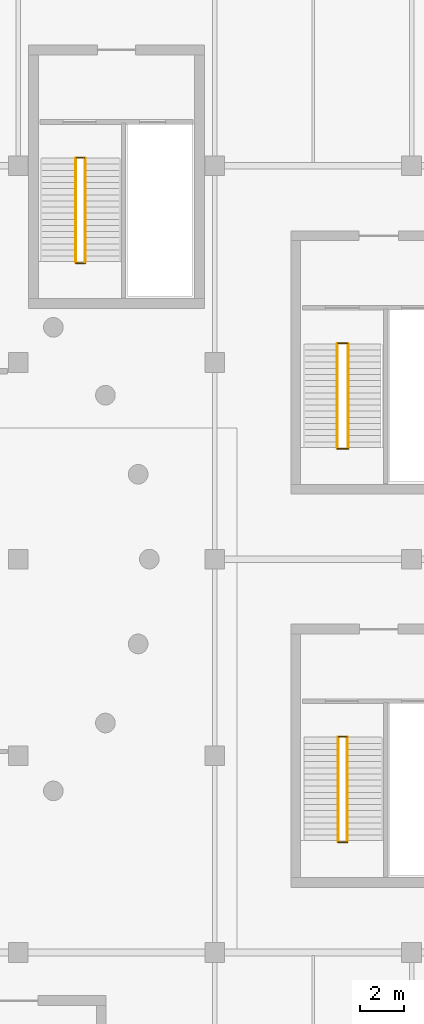
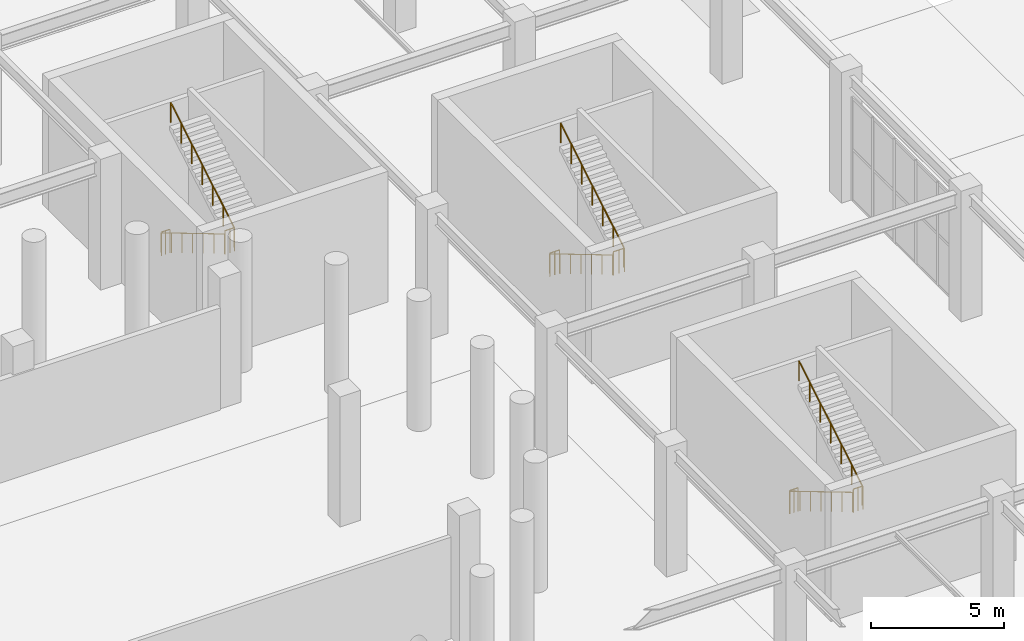
# One storey, part 87 of 91: 12 railings.
"""IFC4 building model written with IfcOpenShell, lengths in metres."""

from ifc_helpers import new_model, si_unit, direction, frame, origin, origin_2d, place, context, subcontext, project, spatial, circle, extrude, material, type_object, element, save


model = new_model("IFC4")

# Units and contexts
model_context = context("Model", 3, precision=1e-05, world=origin(), true_north=direction((0.0, 1.0)))
body_context = subcontext(model_context, "Body", "Model", "MODEL_VIEW")
ifc_project = project(units=[si_unit("LENGTHUNIT", "METRE"), si_unit("AREAUNIT", "SQUARE_METRE"), si_unit("VOLUMEUNIT", "CUBIC_METRE"), si_unit("PLANEANGLEUNIT", "RADIAN"), si_unit("MASSUNIT", "GRAM", prefix="KILO")], contexts=[model_context])

# Site, building, storey
site_placement = place(None, origin())
site = spatial("IfcSite", under=ifc_project, at=site_placement, CompositionType="ELEMENT")
building_placement = place(site_placement, origin())
building = spatial("IfcBuilding", under=site, at=building_placement, Name="Dornveld Trade and Exhibition Forum", CompositionType="ELEMENT")
storey_placement = place(building_placement, origin())
storey = spatial("IfcBuildingStorey", under=building, at=storey_placement, Name="L00", CompositionType="ELEMENT", Elevation=0.0)

# Railings
ifc_material_1 = material(Name="Brushed stainless steel handrail", Category="steel")
railing_type_1 = type_object("IfcRailingType", Name="RL-HAND-920", PredefinedType="HANDRAIL", material=ifc_material_1)
railing_1_placement = place(storey_placement, frame((140.60498046875, 90.85009765625, 0.166748046875)))
element("IfcRailing", 1, at=railing_1_placement, inside=storey, type_object=railing_type_1, Name="ST-01-L00 flight 1 handrail", PredefinedType="HANDRAIL", context=body_context, shape_type="SweptSolid", body=[
    extrude(circle(Radius=0.02099609375, at=origin_2d()), frame((0.0, 0.0, 0.89892578125), z_axis=(0.0, -0.859299802514, 0.511472237174), x_axis=(1.0, 0.0, 0.0)), (0.0, 0.0, 1.0), 5.539306640625),
    extrude(circle(Radius=0.01806640625, at=origin_2d()), origin(), (0.0, 0.0, 1.0), 0.8779296875),
    extrude(circle(Radius=0.01806640625, at=origin_2d()), frame((0.0, -0.79345703125, 0.47216796875)), (0.0, 0.0, 1.0), 0.8779296875),
    extrude(circle(Radius=0.01806640625, at=origin_2d()), frame((0.0, -1.586669921875, 0.9443359375)), (0.0, 0.0, 1.0), 0.8779296875),
    extrude(circle(Radius=0.01806640625, at=origin_2d()), frame((0.0, -2.3798828125, 1.41650390625)), (0.0, 0.0, 1.0), 0.8779296875),
    extrude(circle(Radius=0.01806640625, at=origin_2d()), frame((0.0, -3.17333984375, 1.888916015625)), (0.0, 0.0, 1.0), 0.8779296875),
    extrude(circle(Radius=0.01806640625, at=origin_2d()), frame((0.0, -3.966796875, 2.361083984375)), (0.0, 0.0, 1.0), 0.8779296875),
    extrude(circle(Radius=0.01806640625, at=origin_2d()), frame((0.0, -4.760009765625, 2.833251953125)), (0.0, 0.0, 1.0), 0.8779296875),
])
railing_2_placement = place(storey_placement, frame((141.094970703125, 86.090087890625, 3.166748046875)))
element("IfcRailing", 2, at=railing_2_placement, inside=storey, type_object=railing_type_1, Name="ST-01-L00 flight 2 handrail", PredefinedType="HANDRAIL", context=body_context, shape_type="SweptSolid", body=[
    extrude(circle(Radius=0.02099609375, at=origin_2d()), frame((0.0, 0.0, 0.89892578125), z_axis=(0.0, 0.859299802514, 0.511472237174), x_axis=(-1.0, 0.0, 0.0)), (0.0, 0.0, 1.0), 5.539306640625),
    extrude(circle(Radius=0.01806640625, at=origin_2d()), origin(), (0.0, 0.0, 1.0), 0.8779296875),
    extrude(circle(Radius=0.01806640625, at=origin_2d()), frame((0.0, 0.79345703125, 0.47216796875)), (0.0, 0.0, 1.0), 0.8779296875),
    extrude(circle(Radius=0.01806640625, at=origin_2d()), frame((0.0, 1.586669921875, 0.9443359375)), (0.0, 0.0, 1.0), 0.8779296875),
    extrude(circle(Radius=0.01806640625, at=origin_2d()), frame((0.0, 2.3798828125, 1.41650390625)), (0.0, 0.0, 1.0), 0.8779296875),
    extrude(circle(Radius=0.01806640625, at=origin_2d()), frame((0.0, 3.17333984375, 1.888916015625)), (0.0, 0.0, 1.0), 0.8779296875),
    extrude(circle(Radius=0.01806640625, at=origin_2d()), frame((0.0, 3.966796875, 2.361083984375)), (0.0, 0.0, 1.0), 0.8779296875),
    extrude(circle(Radius=0.01806640625, at=origin_2d()), frame((0.0, 4.760009765625, 2.833251953125)), (0.0, 0.0, 1.0), 0.8779296875),
])
railing_3_placement = place(storey_placement, frame((128.639892578125, 99.35009765625, 0.166748046875)))
element("IfcRailing", 3, at=railing_3_placement, inside=storey, type_object=railing_type_1, Name="ST-02-L00 flight 1 handrail", PredefinedType="HANDRAIL", context=body_context, shape_type="SweptSolid", body=[
    extrude(circle(Radius=0.02099609375, at=origin_2d()), frame((0.0, 0.0, 0.89892578125), z_axis=(0.0, -0.859299802514, 0.511472237174), x_axis=(1.0, 0.0, 0.0)), (0.0, 0.0, 1.0), 5.539306640625),
    extrude(circle(Radius=0.01806640625, at=origin_2d()), origin(), (0.0, 0.0, 1.0), 0.8779296875),
    extrude(circle(Radius=0.01806640625, at=origin_2d()), frame((0.0, -0.79345703125, 0.47216796875)), (0.0, 0.0, 1.0), 0.8779296875),
    extrude(circle(Radius=0.01806640625, at=origin_2d()), frame((0.0, -1.586669921875, 0.9443359375)), (0.0, 0.0, 1.0), 0.8779296875),
    extrude(circle(Radius=0.01806640625, at=origin_2d()), frame((0.0, -2.3798828125, 1.41650390625)), (0.0, 0.0, 1.0), 0.8779296875),
    extrude(circle(Radius=0.01806640625, at=origin_2d()), frame((0.0, -3.17333984375, 1.888916015625)), (0.0, 0.0, 1.0), 0.8779296875),
    extrude(circle(Radius=0.01806640625, at=origin_2d()), frame((0.0, -3.966796875, 2.361083984375)), (0.0, 0.0, 1.0), 0.8779296875),
    extrude(circle(Radius=0.01806640625, at=origin_2d()), frame((0.0, -4.760009765625, 2.833251953125)), (0.0, 0.0, 1.0), 0.8779296875),
])
railing_4_placement = place(storey_placement, frame((129.06005859375, 94.590087890625, 3.166748046875)))
element("IfcRailing", 4, at=railing_4_placement, inside=storey, type_object=railing_type_1, Name="ST-02-L00 flight 2 handrail", PredefinedType="HANDRAIL", context=body_context, shape_type="SweptSolid", body=[
    extrude(circle(Radius=0.02099609375, at=origin_2d()), frame((0.0, 0.0, 0.89892578125), z_axis=(0.0, 0.859299802514, 0.511472237174), x_axis=(-1.0, 0.0, 0.0)), (0.0, 0.0, 1.0), 5.539306640625),
    extrude(circle(Radius=0.01806640625, at=origin_2d()), origin(), (0.0, 0.0, 1.0), 0.8779296875),
    extrude(circle(Radius=0.01806640625, at=origin_2d()), frame((0.0, 0.79345703125, 0.47216796875)), (0.0, 0.0, 1.0), 0.8779296875),
    extrude(circle(Radius=0.01806640625, at=origin_2d()), frame((0.0, 1.586669921875, 0.9443359375)), (0.0, 0.0, 1.0), 0.8779296875),
    extrude(circle(Radius=0.01806640625, at=origin_2d()), frame((0.0, 2.3798828125, 1.41650390625)), (0.0, 0.0, 1.0), 0.8779296875),
    extrude(circle(Radius=0.01806640625, at=origin_2d()), frame((0.0, 3.17333984375, 1.888916015625)), (0.0, 0.0, 1.0), 0.8779296875),
    extrude(circle(Radius=0.01806640625, at=origin_2d()), frame((0.0, 3.966796875, 2.361083984375)), (0.0, 0.0, 1.0), 0.8779296875),
    extrude(circle(Radius=0.01806640625, at=origin_2d()), frame((0.0, 4.760009765625, 2.833251953125)), (0.0, 0.0, 1.0), 0.8779296875),
])
railing_5_placement = place(storey_placement, frame((140.639892578125, 72.85009765625, 0.166748046875)))
element("IfcRailing", 5, at=railing_5_placement, inside=storey, type_object=railing_type_1, Name="ST-08-L00 flight 1 handrail", PredefinedType="HANDRAIL", context=body_context, shape_type="SweptSolid", body=[
    extrude(circle(Radius=0.02099609375, at=origin_2d()), frame((0.0, 0.0, 0.89892578125), z_axis=(0.0, -0.859299802514, 0.511472237174), x_axis=(1.0, 0.0, 0.0)), (0.0, 0.0, 1.0), 5.539306640625),
    extrude(circle(Radius=0.01806640625, at=origin_2d()), origin(), (0.0, 0.0, 1.0), 0.8779296875),
    extrude(circle(Radius=0.01806640625, at=origin_2d()), frame((0.0, -0.79345703125, 0.47216796875)), (0.0, 0.0, 1.0), 0.8779296875),
    extrude(circle(Radius=0.01806640625, at=origin_2d()), frame((0.0, -1.586669921875, 0.9443359375)), (0.0, 0.0, 1.0), 0.8779296875),
    extrude(circle(Radius=0.01806640625, at=origin_2d()), frame((0.0, -2.3798828125, 1.41650390625)), (0.0, 0.0, 1.0), 0.8779296875),
    extrude(circle(Radius=0.01806640625, at=origin_2d()), frame((0.0, -3.17333984375, 1.888916015625)), (0.0, 0.0, 1.0), 0.8779296875),
    extrude(circle(Radius=0.01806640625, at=origin_2d()), frame((0.0, -3.966796875, 2.361083984375)), (0.0, 0.0, 1.0), 0.8779296875),
    extrude(circle(Radius=0.01806640625, at=origin_2d()), frame((0.0, -4.760009765625, 2.833251953125)), (0.0, 0.0, 1.0), 0.8779296875),
])
railing_6_placement = place(storey_placement, frame((141.06005859375, 68.090087890625, 3.166748046875)))
element("IfcRailing", 6, at=railing_6_placement, inside=storey, type_object=railing_type_1, Name="ST-08-L00 flight 2 handrail", PredefinedType="HANDRAIL", context=body_context, shape_type="SweptSolid", body=[
    extrude(circle(Radius=0.02099609375, at=origin_2d()), frame((0.0, 0.0, 0.89892578125), z_axis=(0.0, 0.859299802514, 0.511472237174), x_axis=(-1.0, 0.0, 0.0)), (0.0, 0.0, 1.0), 5.539306640625),
    extrude(circle(Radius=0.01806640625, at=origin_2d()), origin(), (0.0, 0.0, 1.0), 0.8779296875),
    extrude(circle(Radius=0.01806640625, at=origin_2d()), frame((0.0, 0.79345703125, 0.47216796875)), (0.0, 0.0, 1.0), 0.8779296875),
    extrude(circle(Radius=0.01806640625, at=origin_2d()), frame((0.0, 1.586669921875, 0.9443359375)), (0.0, 0.0, 1.0), 0.8779296875),
    extrude(circle(Radius=0.01806640625, at=origin_2d()), frame((0.0, 2.3798828125, 1.41650390625)), (0.0, 0.0, 1.0), 0.8779296875),
    extrude(circle(Radius=0.01806640625, at=origin_2d()), frame((0.0, 3.17333984375, 1.888916015625)), (0.0, 0.0, 1.0), 0.8779296875),
    extrude(circle(Radius=0.01806640625, at=origin_2d()), frame((0.0, 3.966796875, 2.361083984375)), (0.0, 0.0, 1.0), 0.8779296875),
    extrude(circle(Radius=0.01806640625, at=origin_2d()), frame((0.0, 4.760009765625, 2.833251953125)), (0.0, 0.0, 1.0), 0.8779296875),
])
ifc_material_2 = material(Name="Painted steel S355J2 stair-well guard", Category="steel")
railing_type_2 = type_object("IfcRailingType", Name="RL-WELL-110", PredefinedType="GUARDRAIL", material=ifc_material_2)
railing_7_placement = place(storey_placement, frame((140.60498046875, 86.0400390625, 3.0)))
element("IfcRailing", 7, at=railing_7_placement, inside=storey, type_object=railing_type_2, Name="ST-01-L00 half-landing well guard", PredefinedType="GUARDRAIL", context=body_context, shape_type="SweptSolid", body=[
    extrude(circle(Radius=0.02392578125, at=origin_2d()), frame((0.0, 0.0, 1.076171875), z_axis=(1.0, 0.0, 0.0), x_axis=(0.0, 1.0, 0.0)), (0.0, 0.0, 1.0), 0.489990234375),
    extrude(circle(Radius=0.02001953125, at=origin_2d()), origin(), (0.0, 0.0, 1.0), 1.052001953125),
    extrude(circle(Radius=0.02001953125, at=origin_2d()), frame((0.2451171875, 0.0, 0.0)), (0.0, 0.0, 1.0), 1.052001953125),
    extrude(circle(Radius=0.02001953125, at=origin_2d()), frame((0.489990234375, 0.0, 0.0)), (0.0, 0.0, 1.0), 1.052001953125),
])
railing_8_placement = place(storey_placement, frame((140.635009765625, 90.8701171875, 0.0)))
element("IfcRailing", 8, at=railing_8_placement, inside=storey, type_object=railing_type_2, Name="CORE-01 L00 stair-slot floor guard", PredefinedType="GUARDRAIL", context=body_context, shape_type="SweptSolid", body=[
    extrude(circle(Radius=0.02392578125, at=origin_2d()), frame((0.0, 0.0, 1.076171875), z_axis=(1.0, 0.0, 0.0), x_axis=(0.0, 1.0, 0.0)), (0.0, 0.0, 1.0), 0.429931640625),
    extrude(circle(Radius=0.02001953125, at=origin_2d()), origin(), (0.0, 0.0, 1.0), 1.052001953125),
    extrude(circle(Radius=0.02001953125, at=origin_2d()), frame((0.21484375, 0.0, 0.0)), (0.0, 0.0, 1.0), 1.052001953125),
    extrude(circle(Radius=0.02001953125, at=origin_2d()), frame((0.429931640625, 0.0, 0.0)), (0.0, 0.0, 1.0), 1.052001953125),
])
railing_9_placement = place(storey_placement, frame((128.639892578125, 94.5400390625, 3.0)))
element("IfcRailing", 9, at=railing_9_placement, inside=storey, type_object=railing_type_2, Name="ST-02-L00 half-landing well guard", PredefinedType="GUARDRAIL", context=body_context, shape_type="SweptSolid", body=[
    extrude(circle(Radius=0.02392578125, at=origin_2d()), frame((0.0, 0.0, 1.076171875), z_axis=(1.0, 0.0, 0.0), x_axis=(0.0, 1.0, 0.0)), (0.0, 0.0, 1.0), 0.420166015625),
    extrude(circle(Radius=0.02001953125, at=origin_2d()), origin(), (0.0, 0.0, 1.0), 1.052001953125),
    extrude(circle(Radius=0.02001953125, at=origin_2d()), frame((0.2099609375, 0.0, 0.0)), (0.0, 0.0, 1.0), 1.052001953125),
    extrude(circle(Radius=0.02001953125, at=origin_2d()), frame((0.420166015625, 0.0, 0.0)), (0.0, 0.0, 1.0), 1.052001953125),
])
railing_10_placement = place(storey_placement, frame((128.669921875, 99.3701171875, 0.0)))
element("IfcRailing", 10, at=railing_10_placement, inside=storey, type_object=railing_type_2, Name="CORE-02 L00 stair-slot floor guard", PredefinedType="GUARDRAIL", context=body_context, shape_type="SweptSolid", body=[
    extrude(circle(Radius=0.02392578125, at=origin_2d()), frame((0.0, 0.0, 1.076171875), z_axis=(1.0, 0.0, 0.0), x_axis=(0.0, 1.0, 0.0)), (0.0, 0.0, 1.0), 0.360107421875),
    extrude(circle(Radius=0.02001953125, at=origin_2d()), origin(), (0.0, 0.0, 1.0), 1.052001953125),
    extrude(circle(Radius=0.02001953125, at=origin_2d()), frame((0.18017578125, 0.0, 0.0)), (0.0, 0.0, 1.0), 1.052001953125),
    extrude(circle(Radius=0.02001953125, at=origin_2d()), frame((0.360107421875, 0.0, 0.0)), (0.0, 0.0, 1.0), 1.052001953125),
])
railing_11_placement = place(storey_placement, frame((140.639892578125, 68.0400390625, 3.0)))
element("IfcRailing", 11, at=railing_11_placement, inside=storey, type_object=railing_type_2, Name="ST-08-L00 half-landing well guard", PredefinedType="GUARDRAIL", context=body_context, shape_type="SweptSolid", body=[
    extrude(circle(Radius=0.02392578125, at=origin_2d()), frame((0.0, 0.0, 1.076171875), z_axis=(1.0, 0.0, 0.0), x_axis=(0.0, 1.0, 0.0)), (0.0, 0.0, 1.0), 0.420166015625),
    extrude(circle(Radius=0.02001953125, at=origin_2d()), origin(), (0.0, 0.0, 1.0), 1.052001953125),
    extrude(circle(Radius=0.02001953125, at=origin_2d()), frame((0.2099609375, 0.0, 0.0)), (0.0, 0.0, 1.0), 1.052001953125),
    extrude(circle(Radius=0.02001953125, at=origin_2d()), frame((0.420166015625, 0.0, 0.0)), (0.0, 0.0, 1.0), 1.052001953125),
])
railing_12_placement = place(storey_placement, frame((140.669921875, 72.8701171875, 0.0)))
element("IfcRailing", 12, at=railing_12_placement, inside=storey, type_object=railing_type_2, Name="CORE-08 L00 stair-slot floor guard", PredefinedType="GUARDRAIL", context=body_context, shape_type="SweptSolid", body=[
    extrude(circle(Radius=0.02392578125, at=origin_2d()), frame((0.0, 0.0, 1.076171875), z_axis=(1.0, 0.0, 0.0), x_axis=(0.0, 1.0, 0.0)), (0.0, 0.0, 1.0), 0.360107421875),
    extrude(circle(Radius=0.02001953125, at=origin_2d()), origin(), (0.0, 0.0, 1.0), 1.052001953125),
    extrude(circle(Radius=0.02001953125, at=origin_2d()), frame((0.18017578125, 0.0, 0.0)), (0.0, 0.0, 1.0), 1.052001953125),
    extrude(circle(Radius=0.02001953125, at=origin_2d()), frame((0.360107421875, 0.0, 0.0)), (0.0, 0.0, 1.0), 1.052001953125),
])

save(model, "model.ifc")
